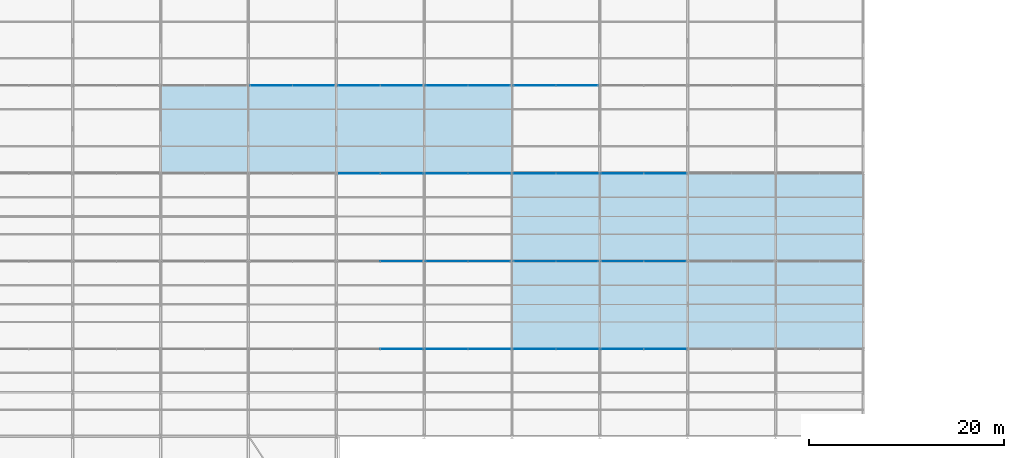
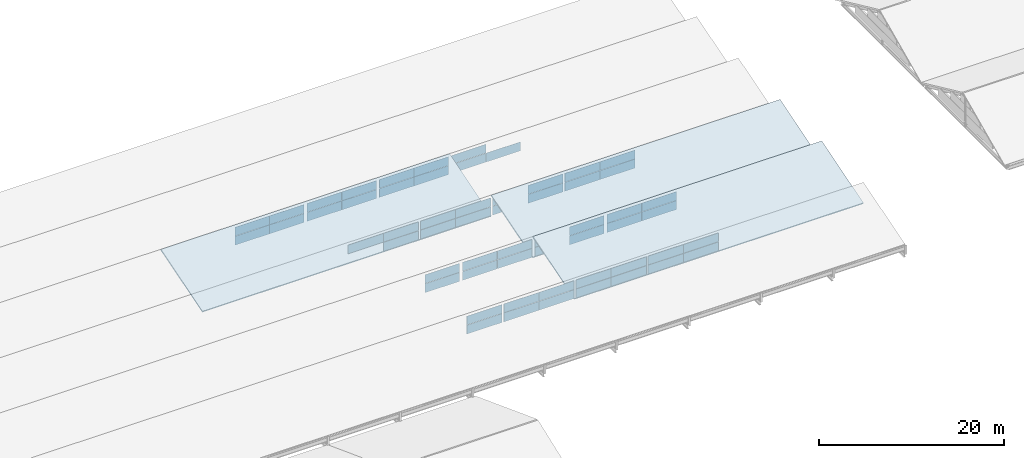
# One storey, part 112 of 163: 58 plates, 3 slabs, 16 elements without a shape of their own.
"""IFC4 building model written with IfcOpenShell, lengths in metres."""

from ifc_helpers import new_model, si_unit, direction, frame, origin, origin_2d, place, context, subcontext, project, spatial, polyline, rectangle, outline, extrude, material, layer, layer_set, type_object, element, aggregate, save


model = new_model("IFC4")

# Units and contexts
model_context = context("Model", 3, precision=1e-05, world=origin(), true_north=direction((0.0, 1.0)))
body_context = subcontext(model_context, "Body", "Model", "MODEL_VIEW")
ifc_project = project(units=[si_unit("LENGTHUNIT", "METRE"), si_unit("AREAUNIT", "SQUARE_METRE"), si_unit("VOLUMEUNIT", "CUBIC_METRE"), si_unit("PLANEANGLEUNIT", "RADIAN"), si_unit("MASSUNIT", "GRAM", prefix="KILO")], contexts=[model_context])

# Site, building, storey
site_placement = place(None, origin())
site = spatial("IfcSite", under=ifc_project, at=site_placement, CompositionType="ELEMENT")
building_placement = place(site_placement, origin())
building = spatial("IfcBuilding", under=site, at=building_placement, Name="Tharagai Park Tramway Depot", CompositionType="ELEMENT")
storey_placement = place(building_placement, frame((0.0, 0.0, 8.39990234375)))
storey = spatial("IfcBuildingStorey", under=building, at=storey_placement, Name="L02", CompositionType="ELEMENT", Elevation=8.39990234375)

# Curtain wall, plates
ifc_material_1 = material(Name="Anodised aluminium", Category="aluminium")
curtain_wall_type_1 = type_object("IfcCurtainWallType", Name="CW-04", PredefinedType="NOTDEFINED", material=ifc_material_1)
curtain_wall_1_placement = place(storey_placement, origin())
curtain_wall_1 = element("IfcCurtainWall", 1, at=curtain_wall_1_placement, inside=storey, type_object=curtain_wall_type_1, Name="Sawtooth North-Light Clerestory CW-04", PredefinedType="NOTDEFINED")
ifc_material_2 = material(Name="Laminated solar-control glass", Category="glass")
ifc_layer_1 = layer(ifc_material_2, 0.028076171875)
ifc_layer_set_1 = layer_set([ifc_layer_1], Name="Laminated solar-control glass")
plate_type = type_object("IfcPlateType", Name="CP-02", PredefinedType="CURTAIN_PANEL", material=ifc_layer_set_1)
plate_1_placement = place(storey_placement, frame((96.699951171875, 98.919921875, 1.28515625), z_axis=(0.0, 0.0, 1.0), x_axis=(1.0, 0.0, 0.0)))
plate_1 = element("IfcPlate", 2, at=plate_1_placement, type_object=plate_type, Name="Sawtooth North-Light Clerestory Glazed Panel 2.1", PredefinedType="CURTAIN_PANEL", context=body_context, shape_type="SweptSolid", body=[
    extrude(rectangle(XDim=4.3798828125, YDim=0.028076171875, at=origin_2d()), origin(), (0.0, 0.0, 1.0), 1.168701171875),
])
plate_2_placement = place(storey_placement, frame((96.699951171875, 98.919921875, 2.49365234375), z_axis=(0.0, 0.0, 1.0), x_axis=(1.0, 0.0, 0.0)))
plate_2 = element("IfcPlate", 3, at=plate_2_placement, type_object=plate_type, Name="Sawtooth North-Light Clerestory Glazed Panel 2.2", PredefinedType="CURTAIN_PANEL", context=body_context, shape_type="SweptSolid", body=[
    extrude(rectangle(XDim=4.3798828125, YDim=0.028076171875, at=origin_2d()), origin(), (0.0, 0.0, 1.0), 1.148681640625),
])
aggregate(curtain_wall_1, [plate_1, plate_2])

curtain_wall_2_placement = place(storey_placement, origin())
curtain_wall_2 = element("IfcCurtainWall", 4, at=curtain_wall_2_placement, inside=storey, type_object=curtain_wall_type_1, Name="Sawtooth North-Light Clerestory CW-04", PredefinedType="NOTDEFINED")
plate_3_placement = place(storey_placement, frame((101.300048828125, 98.919921875, 1.28515625), z_axis=(0.0, 0.0, 1.0), x_axis=(1.0, 0.0, 0.0)))
plate_3 = element("IfcPlate", 5, at=plate_3_placement, type_object=plate_type, Name="Sawtooth North-Light Clerestory Glazed Panel 1.1", PredefinedType="CURTAIN_PANEL", context=body_context, shape_type="SweptSolid", body=[
    extrude(rectangle(XDim=4.3798828125, YDim=0.028076171875, at=origin_2d()), origin(), (0.0, 0.0, 1.0), 1.168701171875),
])
plate_4_placement = place(storey_placement, frame((101.300048828125, 98.919921875, 2.49365234375), z_axis=(0.0, 0.0, 1.0), x_axis=(1.0, 0.0, 0.0)))
plate_4 = element("IfcPlate", 6, at=plate_4_placement, type_object=plate_type, Name="Sawtooth North-Light Clerestory Glazed Panel 1.2", PredefinedType="CURTAIN_PANEL", context=body_context, shape_type="SweptSolid", body=[
    extrude(rectangle(XDim=4.3798828125, YDim=0.028076171875, at=origin_2d()), origin(), (0.0, 0.0, 1.0), 1.148681640625),
])
plate_5_placement = place(storey_placement, frame((105.699951171875, 98.919921875, 1.28515625), z_axis=(0.0, 0.0, 1.0), x_axis=(1.0, 0.0, 0.0)))
plate_5 = element("IfcPlate", 7, at=plate_5_placement, type_object=plate_type, Name="Sawtooth North-Light Clerestory Glazed Panel 2.1", PredefinedType="CURTAIN_PANEL", context=body_context, shape_type="SweptSolid", body=[
    extrude(rectangle(XDim=4.3798828125, YDim=0.028076171875, at=origin_2d()), origin(), (0.0, 0.0, 1.0), 1.168701171875),
])
plate_6_placement = place(storey_placement, frame((105.699951171875, 98.919921875, 2.49365234375), z_axis=(0.0, 0.0, 1.0), x_axis=(1.0, 0.0, 0.0)))
plate_6 = element("IfcPlate", 8, at=plate_6_placement, type_object=plate_type, Name="Sawtooth North-Light Clerestory Glazed Panel 2.2", PredefinedType="CURTAIN_PANEL", context=body_context, shape_type="SweptSolid", body=[
    extrude(rectangle(XDim=4.3798828125, YDim=0.028076171875, at=origin_2d()), origin(), (0.0, 0.0, 1.0), 1.148681640625),
])
aggregate(curtain_wall_2, [plate_3, plate_4, plate_5, plate_6])

curtain_wall_3_placement = place(storey_placement, origin())
curtain_wall_3 = element("IfcCurtainWall", 9, at=curtain_wall_3_placement, inside=storey, type_object=curtain_wall_type_1, Name="Sawtooth North-Light Clerestory CW-04", PredefinedType="NOTDEFINED")
plate_7_placement = place(storey_placement, frame((110.300048828125, 98.919921875, 1.28515625), z_axis=(0.0, 0.0, 1.0), x_axis=(1.0, 0.0, 0.0)))
plate_7 = element("IfcPlate", 10, at=plate_7_placement, type_object=plate_type, Name="Sawtooth North-Light Clerestory Glazed Panel 1.1", PredefinedType="CURTAIN_PANEL", context=body_context, shape_type="SweptSolid", body=[
    extrude(rectangle(XDim=4.3798828125, YDim=0.028076171875, at=origin_2d()), origin(), (0.0, 0.0, 1.0), 1.168701171875),
])
plate_8_placement = place(storey_placement, frame((110.300048828125, 98.919921875, 2.49365234375), z_axis=(0.0, 0.0, 1.0), x_axis=(1.0, 0.0, 0.0)))
plate_8 = element("IfcPlate", 11, at=plate_8_placement, type_object=plate_type, Name="Sawtooth North-Light Clerestory Glazed Panel 1.2", PredefinedType="CURTAIN_PANEL", context=body_context, shape_type="SweptSolid", body=[
    extrude(rectangle(XDim=4.3798828125, YDim=0.028076171875, at=origin_2d()), origin(), (0.0, 0.0, 1.0), 1.148681640625),
])
plate_9_placement = place(storey_placement, frame((114.699951171875, 98.919921875, 1.28515625), z_axis=(0.0, 0.0, 1.0), x_axis=(1.0, 0.0, 0.0)))
plate_9 = element("IfcPlate", 12, at=plate_9_placement, type_object=plate_type, Name="Sawtooth North-Light Clerestory Glazed Panel 2.1", PredefinedType="CURTAIN_PANEL", context=body_context, shape_type="SweptSolid", body=[
    extrude(rectangle(XDim=4.3798828125, YDim=0.028076171875, at=origin_2d()), origin(), (0.0, 0.0, 1.0), 1.168701171875),
])
plate_10_placement = place(storey_placement, frame((114.699951171875, 98.919921875, 2.49365234375), z_axis=(0.0, 0.0, 1.0), x_axis=(1.0, 0.0, 0.0)))
plate_10 = element("IfcPlate", 13, at=plate_10_placement, type_object=plate_type, Name="Sawtooth North-Light Clerestory Glazed Panel 2.2", PredefinedType="CURTAIN_PANEL", context=body_context, shape_type="SweptSolid", body=[
    extrude(rectangle(XDim=4.3798828125, YDim=0.028076171875, at=origin_2d()), origin(), (0.0, 0.0, 1.0), 1.148681640625),
])
aggregate(curtain_wall_3, [plate_7, plate_8, plate_9, plate_10])

curtain_wall_4_placement = place(storey_placement, origin())
curtain_wall_4 = element("IfcCurtainWall", 14, at=curtain_wall_4_placement, inside=storey, type_object=curtain_wall_type_1, Name="Sawtooth North-Light Clerestory CW-04", PredefinedType="NOTDEFINED")
plate_11_placement = place(storey_placement, frame((119.300048828125, 98.919921875, 1.28515625), z_axis=(0.0, 0.0, 1.0), x_axis=(1.0, 0.0, 0.0)))
plate_11 = element("IfcPlate", 15, at=plate_11_placement, type_object=plate_type, Name="Sawtooth North-Light Clerestory Glazed Panel 1.1", PredefinedType="CURTAIN_PANEL", context=body_context, shape_type="SweptSolid", body=[
    extrude(rectangle(XDim=4.3798828125, YDim=0.028076171875, at=origin_2d()), origin(), (0.0, 0.0, 1.0), 1.168701171875),
])
plate_12_placement = place(storey_placement, frame((119.300048828125, 98.919921875, 2.49365234375), z_axis=(0.0, 0.0, 1.0), x_axis=(1.0, 0.0, 0.0)))
plate_12 = element("IfcPlate", 16, at=plate_12_placement, type_object=plate_type, Name="Sawtooth North-Light Clerestory Glazed Panel 1.2", PredefinedType="CURTAIN_PANEL", context=body_context, shape_type="SweptSolid", body=[
    extrude(rectangle(XDim=4.3798828125, YDim=0.028076171875, at=origin_2d()), origin(), (0.0, 0.0, 1.0), 1.148681640625),
])
plate_13_placement = place(storey_placement, frame((123.699951171875, 98.919921875, 1.28515625), z_axis=(0.0, 0.0, 1.0), x_axis=(1.0, 0.0, 0.0)))
plate_13 = element("IfcPlate", 17, at=plate_13_placement, type_object=plate_type, Name="Sawtooth North-Light Clerestory Glazed Panel 2.1", PredefinedType="CURTAIN_PANEL", context=body_context, shape_type="SweptSolid", body=[
    extrude(rectangle(XDim=4.3798828125, YDim=0.028076171875, at=origin_2d()), origin(), (0.0, 0.0, 1.0), 1.168701171875),
])
plate_14_placement = place(storey_placement, frame((123.699951171875, 98.919921875, 2.49365234375), z_axis=(0.0, 0.0, 1.0), x_axis=(1.0, 0.0, 0.0)))
plate_14 = element("IfcPlate", 18, at=plate_14_placement, type_object=plate_type, Name="Sawtooth North-Light Clerestory Glazed Panel 2.2", PredefinedType="CURTAIN_PANEL", context=body_context, shape_type="SweptSolid", body=[
    extrude(rectangle(XDim=4.3798828125, YDim=0.028076171875, at=origin_2d()), origin(), (0.0, 0.0, 1.0), 1.148681640625),
])
aggregate(curtain_wall_4, [plate_11, plate_12, plate_13, plate_14])

curtain_wall_type_2 = type_object("IfcCurtainWallType", Name="CW-03", PredefinedType="NOTDEFINED", material=ifc_material_1)
curtain_wall_5_placement = place(storey_placement, origin())
curtain_wall_5 = element("IfcCurtainWall", 19, at=curtain_wall_5_placement, inside=storey, type_object=curtain_wall_type_2, Name="Sawtooth North-Light Clerestory CW-03", PredefinedType="NOTDEFINED")
plate_15_placement = place(storey_placement, frame((96.659912109375, 107.919921875, 1.28515625), z_axis=(0.0, 0.0, 1.0), x_axis=(1.0, 0.0, 0.0)))
plate_15 = element("IfcPlate", 20, at=plate_15_placement, type_object=plate_type, Name="Sawtooth North-Light Clerestory Glazed Panel 2.1", PredefinedType="CURTAIN_PANEL", context=body_context, shape_type="SweptSolid", body=[
    extrude(rectangle(XDim=4.300048828125, YDim=0.028076171875, at=origin_2d()), origin(), (0.0, 0.0, 1.0), 1.168701171875),
])
plate_16_placement = place(storey_placement, frame((96.659912109375, 107.919921875, 2.49365234375), z_axis=(0.0, 0.0, 1.0), x_axis=(1.0, 0.0, 0.0)))
plate_16 = element("IfcPlate", 21, at=plate_16_placement, type_object=plate_type, Name="Sawtooth North-Light Clerestory Glazed Panel 2.2", PredefinedType="CURTAIN_PANEL", context=body_context, shape_type="SweptSolid", body=[
    extrude(rectangle(XDim=4.300048828125, YDim=0.028076171875, at=origin_2d()), origin(), (0.0, 0.0, 1.0), 1.148681640625),
])
aggregate(curtain_wall_5, [plate_15, plate_16])

curtain_wall_6_placement = place(storey_placement, origin())
curtain_wall_6 = element("IfcCurtainWall", 22, at=curtain_wall_6_placement, inside=storey, type_object=curtain_wall_type_2, Name="Sawtooth North-Light Clerestory CW-03", PredefinedType="NOTDEFINED")
plate_17_placement = place(storey_placement, frame((101.340087890625, 107.919921875, 1.28515625), z_axis=(0.0, 0.0, 1.0), x_axis=(1.0, 0.0, 0.0)))
plate_17 = element("IfcPlate", 23, at=plate_17_placement, type_object=plate_type, Name="Sawtooth North-Light Clerestory Glazed Panel 1.1", PredefinedType="CURTAIN_PANEL", context=body_context, shape_type="SweptSolid", body=[
    extrude(rectangle(XDim=4.300048828125, YDim=0.028076171875, at=origin_2d()), origin(), (0.0, 0.0, 1.0), 1.168701171875),
])
plate_18_placement = place(storey_placement, frame((101.340087890625, 107.919921875, 2.49365234375), z_axis=(0.0, 0.0, 1.0), x_axis=(1.0, 0.0, 0.0)))
plate_18 = element("IfcPlate", 24, at=plate_18_placement, type_object=plate_type, Name="Sawtooth North-Light Clerestory Glazed Panel 1.2", PredefinedType="CURTAIN_PANEL", context=body_context, shape_type="SweptSolid", body=[
    extrude(rectangle(XDim=4.300048828125, YDim=0.028076171875, at=origin_2d()), origin(), (0.0, 0.0, 1.0), 1.148681640625),
])
plate_19_placement = place(storey_placement, frame((105.659912109375, 107.919921875, 1.28515625), z_axis=(0.0, 0.0, 1.0), x_axis=(1.0, 0.0, 0.0)))
plate_19 = element("IfcPlate", 25, at=plate_19_placement, type_object=plate_type, Name="Sawtooth North-Light Clerestory Glazed Panel 2.1", PredefinedType="CURTAIN_PANEL", context=body_context, shape_type="SweptSolid", body=[
    extrude(rectangle(XDim=4.300048828125, YDim=0.028076171875, at=origin_2d()), origin(), (0.0, 0.0, 1.0), 1.168701171875),
])
plate_20_placement = place(storey_placement, frame((105.659912109375, 107.919921875, 2.49365234375), z_axis=(0.0, 0.0, 1.0), x_axis=(1.0, 0.0, 0.0)))
plate_20 = element("IfcPlate", 26, at=plate_20_placement, type_object=plate_type, Name="Sawtooth North-Light Clerestory Glazed Panel 2.2", PredefinedType="CURTAIN_PANEL", context=body_context, shape_type="SweptSolid", body=[
    extrude(rectangle(XDim=4.300048828125, YDim=0.028076171875, at=origin_2d()), origin(), (0.0, 0.0, 1.0), 1.148681640625),
])
aggregate(curtain_wall_6, [plate_17, plate_18, plate_19, plate_20])

curtain_wall_7_placement = place(storey_placement, origin())
curtain_wall_7 = element("IfcCurtainWall", 27, at=curtain_wall_7_placement, inside=storey, type_object=curtain_wall_type_2, Name="Sawtooth North-Light Clerestory CW-03", PredefinedType="NOTDEFINED")
plate_21_placement = place(storey_placement, frame((110.340087890625, 107.919921875, 1.28515625), z_axis=(0.0, 0.0, 1.0), x_axis=(1.0, 0.0, 0.0)))
plate_21 = element("IfcPlate", 28, at=plate_21_placement, type_object=plate_type, Name="Sawtooth North-Light Clerestory Glazed Panel 1.1", PredefinedType="CURTAIN_PANEL", context=body_context, shape_type="SweptSolid", body=[
    extrude(rectangle(XDim=4.300048828125, YDim=0.028076171875, at=origin_2d()), origin(), (0.0, 0.0, 1.0), 1.168701171875),
])
plate_22_placement = place(storey_placement, frame((110.340087890625, 107.919921875, 2.49365234375), z_axis=(0.0, 0.0, 1.0), x_axis=(1.0, 0.0, 0.0)))
plate_22 = element("IfcPlate", 29, at=plate_22_placement, type_object=plate_type, Name="Sawtooth North-Light Clerestory Glazed Panel 1.2", PredefinedType="CURTAIN_PANEL", context=body_context, shape_type="SweptSolid", body=[
    extrude(rectangle(XDim=4.300048828125, YDim=0.028076171875, at=origin_2d()), origin(), (0.0, 0.0, 1.0), 1.148681640625),
])
plate_23_placement = place(storey_placement, frame((114.659912109375, 107.919921875, 1.28515625), z_axis=(0.0, 0.0, 1.0), x_axis=(1.0, 0.0, 0.0)))
plate_23 = element("IfcPlate", 30, at=plate_23_placement, type_object=plate_type, Name="Sawtooth North-Light Clerestory Glazed Panel 2.1", PredefinedType="CURTAIN_PANEL", context=body_context, shape_type="SweptSolid", body=[
    extrude(rectangle(XDim=4.300048828125, YDim=0.028076171875, at=origin_2d()), origin(), (0.0, 0.0, 1.0), 1.168701171875),
])
plate_24_placement = place(storey_placement, frame((114.659912109375, 107.919921875, 2.49365234375), z_axis=(0.0, 0.0, 1.0), x_axis=(1.0, 0.0, 0.0)))
plate_24 = element("IfcPlate", 31, at=plate_24_placement, type_object=plate_type, Name="Sawtooth North-Light Clerestory Glazed Panel 2.2", PredefinedType="CURTAIN_PANEL", context=body_context, shape_type="SweptSolid", body=[
    extrude(rectangle(XDim=4.300048828125, YDim=0.028076171875, at=origin_2d()), origin(), (0.0, 0.0, 1.0), 1.148681640625),
])
aggregate(curtain_wall_7, [plate_21, plate_22, plate_23, plate_24])

curtain_wall_8_placement = place(storey_placement, origin())
curtain_wall_8 = element("IfcCurtainWall", 32, at=curtain_wall_8_placement, inside=storey, type_object=curtain_wall_type_2, Name="Sawtooth North-Light Clerestory CW-03", PredefinedType="NOTDEFINED")
plate_25_placement = place(storey_placement, frame((119.340087890625, 107.919921875, 1.28515625), z_axis=(0.0, 0.0, 1.0), x_axis=(1.0, 0.0, 0.0)))
plate_25 = element("IfcPlate", 33, at=plate_25_placement, type_object=plate_type, Name="Sawtooth North-Light Clerestory Glazed Panel 1.1", PredefinedType="CURTAIN_PANEL", context=body_context, shape_type="SweptSolid", body=[
    extrude(rectangle(XDim=4.300048828125, YDim=0.028076171875, at=origin_2d()), origin(), (0.0, 0.0, 1.0), 1.168701171875),
])
plate_26_placement = place(storey_placement, frame((119.340087890625, 107.919921875, 2.49365234375), z_axis=(0.0, 0.0, 1.0), x_axis=(1.0, 0.0, 0.0)))
plate_26 = element("IfcPlate", 34, at=plate_26_placement, type_object=plate_type, Name="Sawtooth North-Light Clerestory Glazed Panel 1.2", PredefinedType="CURTAIN_PANEL", context=body_context, shape_type="SweptSolid", body=[
    extrude(rectangle(XDim=4.300048828125, YDim=0.028076171875, at=origin_2d()), origin(), (0.0, 0.0, 1.0), 1.148681640625),
])
plate_27_placement = place(storey_placement, frame((123.659912109375, 107.919921875, 1.28515625), z_axis=(0.0, 0.0, 1.0), x_axis=(1.0, 0.0, 0.0)))
plate_27 = element("IfcPlate", 35, at=plate_27_placement, type_object=plate_type, Name="Sawtooth North-Light Clerestory Glazed Panel 2.1", PredefinedType="CURTAIN_PANEL", context=body_context, shape_type="SweptSolid", body=[
    extrude(rectangle(XDim=4.300048828125, YDim=0.028076171875, at=origin_2d()), origin(), (0.0, 0.0, 1.0), 1.168701171875),
])
plate_28_placement = place(storey_placement, frame((123.659912109375, 107.919921875, 2.49365234375), z_axis=(0.0, 0.0, 1.0), x_axis=(1.0, 0.0, 0.0)))
plate_28 = element("IfcPlate", 36, at=plate_28_placement, type_object=plate_type, Name="Sawtooth North-Light Clerestory Glazed Panel 2.2", PredefinedType="CURTAIN_PANEL", context=body_context, shape_type="SweptSolid", body=[
    extrude(rectangle(XDim=4.300048828125, YDim=0.028076171875, at=origin_2d()), origin(), (0.0, 0.0, 1.0), 1.148681640625),
])
aggregate(curtain_wall_8, [plate_25, plate_26, plate_27, plate_28])

curtain_wall_9_placement = place(storey_placement, origin())
curtain_wall_9 = element("IfcCurtainWall", 37, at=curtain_wall_9_placement, inside=storey, type_object=curtain_wall_type_1, Name="Sawtooth North-Light Clerestory CW-04", PredefinedType="NOTDEFINED")
plate_29_placement = place(storey_placement, frame((92.300048828125, 116.919921875, 2.49365234375), z_axis=(0.0, 0.0, 1.0), x_axis=(1.0, 0.0, 0.0)))
plate_29 = element("IfcPlate", 38, at=plate_29_placement, type_object=plate_type, Name="Sawtooth North-Light Clerestory Glazed Panel 1.2", PredefinedType="CURTAIN_PANEL", context=body_context, shape_type="SweptSolid", body=[
    extrude(rectangle(XDim=4.3798828125, YDim=0.028076171875, at=origin_2d()), origin(), (0.0, 0.0, 1.0), 1.148681640625),
])
plate_30_placement = place(storey_placement, frame((96.699951171875, 116.919921875, 1.28515625), z_axis=(0.0, 0.0, 1.0), x_axis=(1.0, 0.0, 0.0)))
plate_30 = element("IfcPlate", 39, at=plate_30_placement, type_object=plate_type, Name="Sawtooth North-Light Clerestory Glazed Panel 2.1", PredefinedType="CURTAIN_PANEL", context=body_context, shape_type="SweptSolid", body=[
    extrude(rectangle(XDim=4.3798828125, YDim=0.028076171875, at=origin_2d()), origin(), (0.0, 0.0, 1.0), 1.168701171875),
])
plate_31_placement = place(storey_placement, frame((96.699951171875, 116.919921875, 2.49365234375), z_axis=(0.0, 0.0, 1.0), x_axis=(1.0, 0.0, 0.0)))
plate_31 = element("IfcPlate", 40, at=plate_31_placement, type_object=plate_type, Name="Sawtooth North-Light Clerestory Glazed Panel 2.2", PredefinedType="CURTAIN_PANEL", context=body_context, shape_type="SweptSolid", body=[
    extrude(rectangle(XDim=4.3798828125, YDim=0.028076171875, at=origin_2d()), origin(), (0.0, 0.0, 1.0), 1.148681640625),
])
aggregate(curtain_wall_9, [plate_29, plate_30, plate_31])

curtain_wall_10_placement = place(storey_placement, origin())
curtain_wall_10 = element("IfcCurtainWall", 41, at=curtain_wall_10_placement, inside=storey, type_object=curtain_wall_type_1, Name="Sawtooth North-Light Clerestory CW-04", PredefinedType="NOTDEFINED")
plate_32_placement = place(storey_placement, frame((101.300048828125, 116.919921875, 1.28515625), z_axis=(0.0, 0.0, 1.0), x_axis=(1.0, 0.0, 0.0)))
plate_32 = element("IfcPlate", 42, at=plate_32_placement, type_object=plate_type, Name="Sawtooth North-Light Clerestory Glazed Panel 1.1", PredefinedType="CURTAIN_PANEL", context=body_context, shape_type="SweptSolid", body=[
    extrude(rectangle(XDim=4.3798828125, YDim=0.028076171875, at=origin_2d()), origin(), (0.0, 0.0, 1.0), 1.168701171875),
])
plate_33_placement = place(storey_placement, frame((101.300048828125, 116.919921875, 2.49365234375), z_axis=(0.0, 0.0, 1.0), x_axis=(1.0, 0.0, 0.0)))
plate_33 = element("IfcPlate", 43, at=plate_33_placement, type_object=plate_type, Name="Sawtooth North-Light Clerestory Glazed Panel 1.2", PredefinedType="CURTAIN_PANEL", context=body_context, shape_type="SweptSolid", body=[
    extrude(rectangle(XDim=4.3798828125, YDim=0.028076171875, at=origin_2d()), origin(), (0.0, 0.0, 1.0), 1.148681640625),
])
plate_34_placement = place(storey_placement, frame((105.699951171875, 116.919921875, 1.28515625), z_axis=(0.0, 0.0, 1.0), x_axis=(1.0, 0.0, 0.0)))
plate_34 = element("IfcPlate", 44, at=plate_34_placement, type_object=plate_type, Name="Sawtooth North-Light Clerestory Glazed Panel 2.1", PredefinedType="CURTAIN_PANEL", context=body_context, shape_type="SweptSolid", body=[
    extrude(rectangle(XDim=4.3798828125, YDim=0.028076171875, at=origin_2d()), origin(), (0.0, 0.0, 1.0), 1.168701171875),
])
plate_35_placement = place(storey_placement, frame((105.699951171875, 116.919921875, 2.49365234375), z_axis=(0.0, 0.0, 1.0), x_axis=(1.0, 0.0, 0.0)))
plate_35 = element("IfcPlate", 45, at=plate_35_placement, type_object=plate_type, Name="Sawtooth North-Light Clerestory Glazed Panel 2.2", PredefinedType="CURTAIN_PANEL", context=body_context, shape_type="SweptSolid", body=[
    extrude(rectangle(XDim=4.3798828125, YDim=0.028076171875, at=origin_2d()), origin(), (0.0, 0.0, 1.0), 1.148681640625),
])
aggregate(curtain_wall_10, [plate_32, plate_33, plate_34, plate_35])

curtain_wall_11_placement = place(storey_placement, origin())
curtain_wall_11 = element("IfcCurtainWall", 46, at=curtain_wall_11_placement, inside=storey, type_object=curtain_wall_type_1, Name="Sawtooth North-Light Clerestory CW-04", PredefinedType="NOTDEFINED")
plate_36_placement = place(storey_placement, frame((110.300048828125, 116.919921875, 1.28515625), z_axis=(0.0, 0.0, 1.0), x_axis=(1.0, 0.0, 0.0)))
plate_36 = element("IfcPlate", 47, at=plate_36_placement, type_object=plate_type, Name="Sawtooth North-Light Clerestory Glazed Panel 1.1", PredefinedType="CURTAIN_PANEL", context=body_context, shape_type="SweptSolid", body=[
    extrude(rectangle(XDim=4.3798828125, YDim=0.028076171875, at=origin_2d()), origin(), (0.0, 0.0, 1.0), 1.168701171875),
])
plate_37_placement = place(storey_placement, frame((110.300048828125, 116.919921875, 2.49365234375), z_axis=(0.0, 0.0, 1.0), x_axis=(1.0, 0.0, 0.0)))
plate_37 = element("IfcPlate", 48, at=plate_37_placement, type_object=plate_type, Name="Sawtooth North-Light Clerestory Glazed Panel 1.2", PredefinedType="CURTAIN_PANEL", context=body_context, shape_type="SweptSolid", body=[
    extrude(rectangle(XDim=4.3798828125, YDim=0.028076171875, at=origin_2d()), origin(), (0.0, 0.0, 1.0), 1.148681640625),
])
plate_38_placement = place(storey_placement, frame((114.699951171875, 116.919921875, 1.28515625), z_axis=(0.0, 0.0, 1.0), x_axis=(1.0, 0.0, 0.0)))
plate_38 = element("IfcPlate", 49, at=plate_38_placement, type_object=plate_type, Name="Sawtooth North-Light Clerestory Glazed Panel 2.1", PredefinedType="CURTAIN_PANEL", context=body_context, shape_type="SweptSolid", body=[
    extrude(rectangle(XDim=4.3798828125, YDim=0.028076171875, at=origin_2d()), origin(), (0.0, 0.0, 1.0), 1.168701171875),
])
plate_39_placement = place(storey_placement, frame((114.699951171875, 116.919921875, 2.49365234375), z_axis=(0.0, 0.0, 1.0), x_axis=(1.0, 0.0, 0.0)))
plate_39 = element("IfcPlate", 50, at=plate_39_placement, type_object=plate_type, Name="Sawtooth North-Light Clerestory Glazed Panel 2.2", PredefinedType="CURTAIN_PANEL", context=body_context, shape_type="SweptSolid", body=[
    extrude(rectangle(XDim=4.3798828125, YDim=0.028076171875, at=origin_2d()), origin(), (0.0, 0.0, 1.0), 1.148681640625),
])
aggregate(curtain_wall_11, [plate_36, plate_37, plate_38, plate_39])

curtain_wall_12_placement = place(storey_placement, origin())
curtain_wall_12 = element("IfcCurtainWall", 51, at=curtain_wall_12_placement, inside=storey, type_object=curtain_wall_type_1, Name="Sawtooth North-Light Clerestory CW-04", PredefinedType="NOTDEFINED")
plate_40_placement = place(storey_placement, frame((119.300048828125, 116.919921875, 1.28515625), z_axis=(0.0, 0.0, 1.0), x_axis=(1.0, 0.0, 0.0)))
plate_40 = element("IfcPlate", 52, at=plate_40_placement, type_object=plate_type, Name="Sawtooth North-Light Clerestory Glazed Panel 1.1", PredefinedType="CURTAIN_PANEL", context=body_context, shape_type="SweptSolid", body=[
    extrude(rectangle(XDim=4.3798828125, YDim=0.028076171875, at=origin_2d()), origin(), (0.0, 0.0, 1.0), 1.168701171875),
])
plate_41_placement = place(storey_placement, frame((119.300048828125, 116.919921875, 2.49365234375), z_axis=(0.0, 0.0, 1.0), x_axis=(1.0, 0.0, 0.0)))
plate_41 = element("IfcPlate", 53, at=plate_41_placement, type_object=plate_type, Name="Sawtooth North-Light Clerestory Glazed Panel 1.2", PredefinedType="CURTAIN_PANEL", context=body_context, shape_type="SweptSolid", body=[
    extrude(rectangle(XDim=4.3798828125, YDim=0.028076171875, at=origin_2d()), origin(), (0.0, 0.0, 1.0), 1.148681640625),
])
plate_42_placement = place(storey_placement, frame((123.699951171875, 116.919921875, 1.28515625), z_axis=(0.0, 0.0, 1.0), x_axis=(1.0, 0.0, 0.0)))
plate_42 = element("IfcPlate", 54, at=plate_42_placement, type_object=plate_type, Name="Sawtooth North-Light Clerestory Glazed Panel 2.1", PredefinedType="CURTAIN_PANEL", context=body_context, shape_type="SweptSolid", body=[
    extrude(rectangle(XDim=4.3798828125, YDim=0.028076171875, at=origin_2d()), origin(), (0.0, 0.0, 1.0), 1.168701171875),
])
plate_43_placement = place(storey_placement, frame((123.699951171875, 116.919921875, 2.49365234375), z_axis=(0.0, 0.0, 1.0), x_axis=(1.0, 0.0, 0.0)))
plate_43 = element("IfcPlate", 55, at=plate_43_placement, type_object=plate_type, Name="Sawtooth North-Light Clerestory Glazed Panel 2.2", PredefinedType="CURTAIN_PANEL", context=body_context, shape_type="SweptSolid", body=[
    extrude(rectangle(XDim=4.3798828125, YDim=0.028076171875, at=origin_2d()), origin(), (0.0, 0.0, 1.0), 1.148681640625),
])
aggregate(curtain_wall_12, [plate_40, plate_41, plate_42, plate_43])

curtain_wall_13_placement = place(storey_placement, origin())
curtain_wall_13 = element("IfcCurtainWall", 56, at=curtain_wall_13_placement, inside=storey, type_object=curtain_wall_type_2, Name="Sawtooth North-Light Clerestory CW-03", PredefinedType="NOTDEFINED")
plate_44_placement = place(storey_placement, frame((83.340087890625, 125.919921875, 1.28515625), z_axis=(0.0, 0.0, 1.0), x_axis=(1.0, 0.0, 0.0)))
plate_44 = element("IfcPlate", 57, at=plate_44_placement, type_object=plate_type, Name="Sawtooth North-Light Clerestory Glazed Panel 1.1", PredefinedType="CURTAIN_PANEL", context=body_context, shape_type="SweptSolid", body=[
    extrude(rectangle(XDim=4.300048828125, YDim=0.028076171875, at=origin_2d()), origin(), (0.0, 0.0, 1.0), 1.168701171875),
])
plate_45_placement = place(storey_placement, frame((83.340087890625, 125.919921875, 2.49365234375), z_axis=(0.0, 0.0, 1.0), x_axis=(1.0, 0.0, 0.0)))
plate_45 = element("IfcPlate", 58, at=plate_45_placement, type_object=plate_type, Name="Sawtooth North-Light Clerestory Glazed Panel 1.2", PredefinedType="CURTAIN_PANEL", context=body_context, shape_type="SweptSolid", body=[
    extrude(rectangle(XDim=4.300048828125, YDim=0.028076171875, at=origin_2d()), origin(), (0.0, 0.0, 1.0), 1.148681640625),
])
plate_46_placement = place(storey_placement, frame((87.659912109375, 125.919921875, 1.28515625), z_axis=(0.0, 0.0, 1.0), x_axis=(1.0, 0.0, 0.0)))
plate_46 = element("IfcPlate", 59, at=plate_46_placement, type_object=plate_type, Name="Sawtooth North-Light Clerestory Glazed Panel 2.1", PredefinedType="CURTAIN_PANEL", context=body_context, shape_type="SweptSolid", body=[
    extrude(rectangle(XDim=4.300048828125, YDim=0.028076171875, at=origin_2d()), origin(), (0.0, 0.0, 1.0), 1.168701171875),
])
plate_47_placement = place(storey_placement, frame((87.659912109375, 125.919921875, 2.49365234375), z_axis=(0.0, 0.0, 1.0), x_axis=(1.0, 0.0, 0.0)))
plate_47 = element("IfcPlate", 60, at=plate_47_placement, type_object=plate_type, Name="Sawtooth North-Light Clerestory Glazed Panel 2.2", PredefinedType="CURTAIN_PANEL", context=body_context, shape_type="SweptSolid", body=[
    extrude(rectangle(XDim=4.300048828125, YDim=0.028076171875, at=origin_2d()), origin(), (0.0, 0.0, 1.0), 1.148681640625),
])
aggregate(curtain_wall_13, [plate_44, plate_45, plate_46, plate_47])

curtain_wall_14_placement = place(storey_placement, origin())
curtain_wall_14 = element("IfcCurtainWall", 61, at=curtain_wall_14_placement, inside=storey, type_object=curtain_wall_type_2, Name="Sawtooth North-Light Clerestory CW-03", PredefinedType="NOTDEFINED")
plate_48_placement = place(storey_placement, frame((92.340087890625, 125.919921875, 1.28515625), z_axis=(0.0, 0.0, 1.0), x_axis=(1.0, 0.0, 0.0)))
plate_48 = element("IfcPlate", 62, at=plate_48_placement, type_object=plate_type, Name="Sawtooth North-Light Clerestory Glazed Panel 1.1", PredefinedType="CURTAIN_PANEL", context=body_context, shape_type="SweptSolid", body=[
    extrude(rectangle(XDim=4.300048828125, YDim=0.028076171875, at=origin_2d()), origin(), (0.0, 0.0, 1.0), 1.168701171875),
])
plate_49_placement = place(storey_placement, frame((92.340087890625, 125.919921875, 2.49365234375), z_axis=(0.0, 0.0, 1.0), x_axis=(1.0, 0.0, 0.0)))
plate_49 = element("IfcPlate", 63, at=plate_49_placement, type_object=plate_type, Name="Sawtooth North-Light Clerestory Glazed Panel 1.2", PredefinedType="CURTAIN_PANEL", context=body_context, shape_type="SweptSolid", body=[
    extrude(rectangle(XDim=4.300048828125, YDim=0.028076171875, at=origin_2d()), origin(), (0.0, 0.0, 1.0), 1.148681640625),
])
plate_50_placement = place(storey_placement, frame((96.659912109375, 125.919921875, 1.28515625), z_axis=(0.0, 0.0, 1.0), x_axis=(1.0, 0.0, 0.0)))
plate_50 = element("IfcPlate", 64, at=plate_50_placement, type_object=plate_type, Name="Sawtooth North-Light Clerestory Glazed Panel 2.1", PredefinedType="CURTAIN_PANEL", context=body_context, shape_type="SweptSolid", body=[
    extrude(rectangle(XDim=4.300048828125, YDim=0.028076171875, at=origin_2d()), origin(), (0.0, 0.0, 1.0), 1.168701171875),
])
plate_51_placement = place(storey_placement, frame((96.659912109375, 125.919921875, 2.49365234375), z_axis=(0.0, 0.0, 1.0), x_axis=(1.0, 0.0, 0.0)))
plate_51 = element("IfcPlate", 65, at=plate_51_placement, type_object=plate_type, Name="Sawtooth North-Light Clerestory Glazed Panel 2.2", PredefinedType="CURTAIN_PANEL", context=body_context, shape_type="SweptSolid", body=[
    extrude(rectangle(XDim=4.300048828125, YDim=0.028076171875, at=origin_2d()), origin(), (0.0, 0.0, 1.0), 1.148681640625),
])
aggregate(curtain_wall_14, [plate_48, plate_49, plate_50, plate_51])

curtain_wall_15_placement = place(storey_placement, origin())
curtain_wall_15 = element("IfcCurtainWall", 66, at=curtain_wall_15_placement, inside=storey, type_object=curtain_wall_type_2, Name="Sawtooth North-Light Clerestory CW-03", PredefinedType="NOTDEFINED")
plate_52_placement = place(storey_placement, frame((101.340087890625, 125.919921875, 1.28515625), z_axis=(0.0, 0.0, 1.0), x_axis=(1.0, 0.0, 0.0)))
plate_52 = element("IfcPlate", 67, at=plate_52_placement, type_object=plate_type, Name="Sawtooth North-Light Clerestory Glazed Panel 1.1", PredefinedType="CURTAIN_PANEL", context=body_context, shape_type="SweptSolid", body=[
    extrude(rectangle(XDim=4.300048828125, YDim=0.028076171875, at=origin_2d()), origin(), (0.0, 0.0, 1.0), 1.168701171875),
])
plate_53_placement = place(storey_placement, frame((101.340087890625, 125.919921875, 2.49365234375), z_axis=(0.0, 0.0, 1.0), x_axis=(1.0, 0.0, 0.0)))
plate_53 = element("IfcPlate", 68, at=plate_53_placement, type_object=plate_type, Name="Sawtooth North-Light Clerestory Glazed Panel 1.2", PredefinedType="CURTAIN_PANEL", context=body_context, shape_type="SweptSolid", body=[
    extrude(rectangle(XDim=4.300048828125, YDim=0.028076171875, at=origin_2d()), origin(), (0.0, 0.0, 1.0), 1.148681640625),
])
plate_54_placement = place(storey_placement, frame((105.659912109375, 125.919921875, 1.28515625), z_axis=(0.0, 0.0, 1.0), x_axis=(1.0, 0.0, 0.0)))
plate_54 = element("IfcPlate", 69, at=plate_54_placement, type_object=plate_type, Name="Sawtooth North-Light Clerestory Glazed Panel 2.1", PredefinedType="CURTAIN_PANEL", context=body_context, shape_type="SweptSolid", body=[
    extrude(rectangle(XDim=4.300048828125, YDim=0.028076171875, at=origin_2d()), origin(), (0.0, 0.0, 1.0), 1.168701171875),
])
plate_55_placement = place(storey_placement, frame((105.659912109375, 125.919921875, 2.49365234375), z_axis=(0.0, 0.0, 1.0), x_axis=(1.0, 0.0, 0.0)))
plate_55 = element("IfcPlate", 70, at=plate_55_placement, type_object=plate_type, Name="Sawtooth North-Light Clerestory Glazed Panel 2.2", PredefinedType="CURTAIN_PANEL", context=body_context, shape_type="SweptSolid", body=[
    extrude(rectangle(XDim=4.300048828125, YDim=0.028076171875, at=origin_2d()), origin(), (0.0, 0.0, 1.0), 1.148681640625),
])
aggregate(curtain_wall_15, [plate_52, plate_53, plate_54, plate_55])

curtain_wall_16_placement = place(storey_placement, origin())
curtain_wall_16 = element("IfcCurtainWall", 71, at=curtain_wall_16_placement, inside=storey, type_object=curtain_wall_type_2, Name="Sawtooth North-Light Clerestory CW-03", PredefinedType="NOTDEFINED")
plate_56_placement = place(storey_placement, frame((110.340087890625, 125.919921875, 1.28515625), z_axis=(0.0, 0.0, 1.0), x_axis=(1.0, 0.0, 0.0)))
plate_56 = element("IfcPlate", 72, at=plate_56_placement, type_object=plate_type, Name="Sawtooth North-Light Clerestory Glazed Panel 1.1", PredefinedType="CURTAIN_PANEL", context=body_context, shape_type="SweptSolid", body=[
    extrude(rectangle(XDim=4.300048828125, YDim=0.028076171875, at=origin_2d()), origin(), (0.0, 0.0, 1.0), 1.168701171875),
])
plate_57_placement = place(storey_placement, frame((110.340087890625, 125.919921875, 2.49365234375), z_axis=(0.0, 0.0, 1.0), x_axis=(1.0, 0.0, 0.0)))
plate_57 = element("IfcPlate", 73, at=plate_57_placement, type_object=plate_type, Name="Sawtooth North-Light Clerestory Glazed Panel 1.2", PredefinedType="CURTAIN_PANEL", context=body_context, shape_type="SweptSolid", body=[
    extrude(rectangle(XDim=4.300048828125, YDim=0.028076171875, at=origin_2d()), origin(), (0.0, 0.0, 1.0), 1.148681640625),
])
plate_58_placement = place(storey_placement, frame((114.659912109375, 125.919921875, 1.28515625), z_axis=(0.0, 0.0, 1.0), x_axis=(1.0, 0.0, 0.0)))
plate_58 = element("IfcPlate", 74, at=plate_58_placement, type_object=plate_type, Name="Sawtooth North-Light Clerestory Glazed Panel 2.1", PredefinedType="CURTAIN_PANEL", context=body_context, shape_type="SweptSolid", body=[
    extrude(rectangle(XDim=4.300048828125, YDim=0.028076171875, at=origin_2d()), origin(), (0.0, 0.0, 1.0), 1.168701171875),
])
aggregate(curtain_wall_16, [plate_56, plate_57, plate_58])

# Slabs
ifc_material_3 = material(Name="Concrete M35", Category="concrete")
ifc_layer_2 = layer(ifc_material_3, 0.159912109375)
ifc_layer_set_2 = layer_set([ifc_layer_2], Name="Concrete M35")
slab_type = type_object("IfcSlabType", Name="RS-04", PredefinedType="ROOF", material=ifc_layer_set_2)
for number, where, z_axis, x_axis, name in (
    (75, (108.0, 99.0, 1.2001953125), (0.0, -0.289034229425, 0.95731876312), (1.0, 0.0, 0.0), "V1 Sawtooth Tooth 2 Sloped Roof Slab 4"),
    (76, (108.0, 108.0, 1.2001953125), (0.0, -0.289034229425, 0.95731876312), (1.0, 0.0, 0.0), "V1 Sawtooth Tooth 3 Sloped Roof Slab 4"),
    (77, (72.0, 117.0, 1.2001953125), (0.0, -0.289034229425, 0.95731876312), (1.0, 0.0, 0.0), "V1 Sawtooth Tooth 4 Sloped Roof Slab 3"),
):
    element("IfcSlab", number, at=place(storey_placement, frame(where, z_axis=z_axis, x_axis=x_axis)), inside=storey, type_object=slab_type, Name=name, PredefinedType="ROOF", context=body_context, shape_type="SweptSolid", body=[
        extrude(outline(polyline([(0.0, 0.0), (36.0, 0.0), (36.0, 9.401257289340432), (0.0, 9.401257289340432), (0.0, 0.0)])), origin(), (0.0, 0.0, -1.0), 0.159912109375),
    ])

save(model, "model.ifc")
